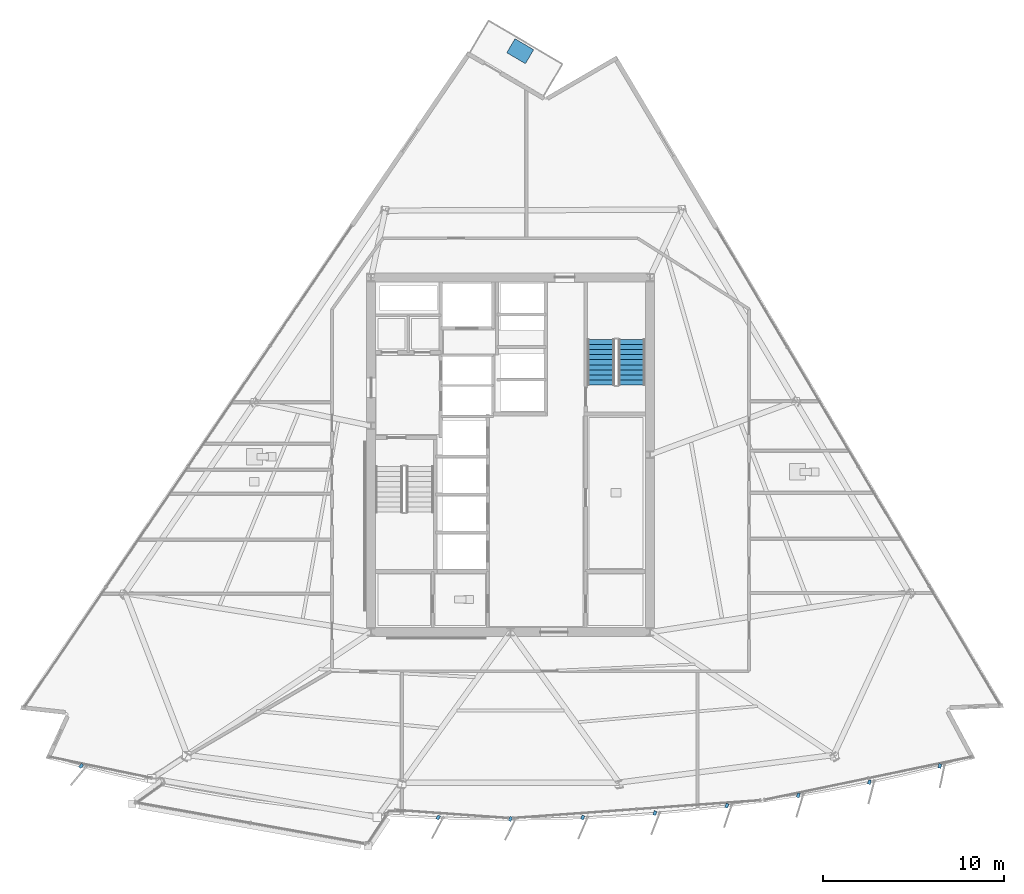
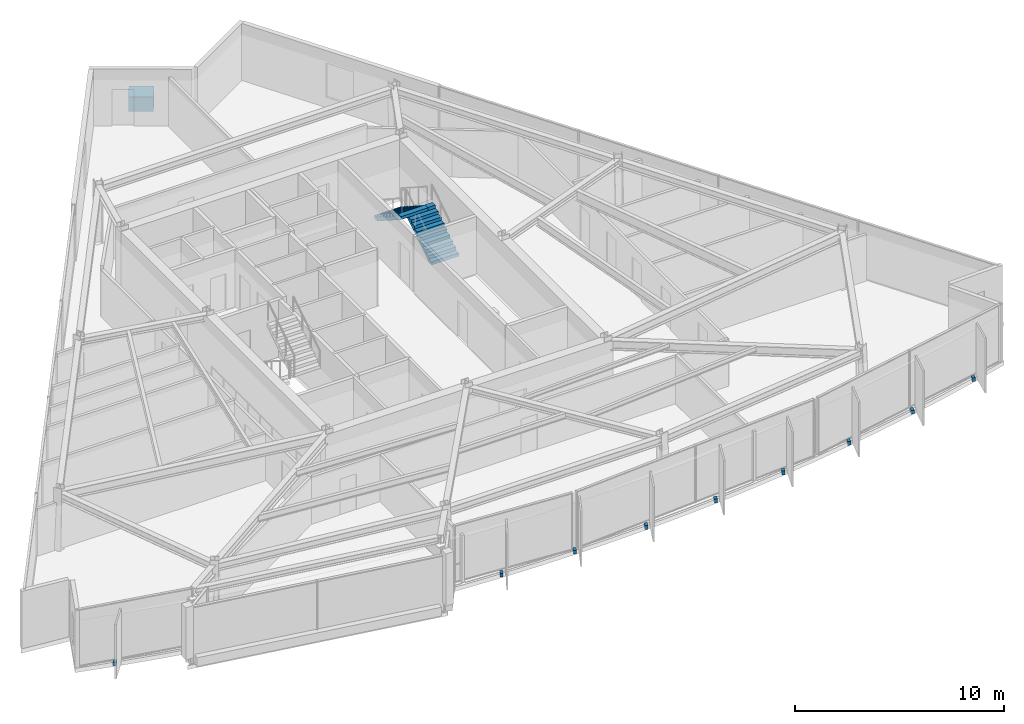
# One storey, part 11 of 16: 10 discrete accessories, 2 stair flights, 1 element without a shape of its own.
"""IFC4 building model written with IfcOpenShell, lengths in metres."""

from ifc_helpers import new_model, si_unit, direction, frame, origin, origin_2d, place, context, subcontext, project, spatial, polyline, rectangle, outline, extrude, material, type_object, element, aggregate, save


model = new_model("IFC4")

# Units and contexts
model_context = context("Model", 3, precision=1e-05, world=origin(), true_north=direction((0.0, 1.0)))
body_context = subcontext(model_context, "Body", "Model", "MODEL_VIEW")
ifc_project = project(units=[si_unit("LENGTHUNIT", "METRE"), si_unit("AREAUNIT", "SQUARE_METRE"), si_unit("VOLUMEUNIT", "CUBIC_METRE"), si_unit("PLANEANGLEUNIT", "RADIAN"), si_unit("MASSUNIT", "GRAM", prefix="KILO")], contexts=[model_context])

# Site, building, storey
site_placement = place(None, origin())
site = spatial("IfcSite", under=ifc_project, at=site_placement, CompositionType="ELEMENT")
building_placement = place(site_placement, origin())
building = spatial("IfcBuilding", under=site, at=building_placement, Name="Savorim Split Tower", CompositionType="ELEMENT")
storey_placement = place(building_placement, frame((0.0, 0.0, 149.39990234375)))
storey = spatial("IfcBuildingStorey", under=building, at=storey_placement, Name="L39", CompositionType="ELEMENT", Elevation=149.39990234375)

# Stair, stair flights
ifc_material_1 = material(Name="Concrete C50/60", Category="concrete")
stair_type = type_object("IfcStairType", Name="STR-DOG-3600", PredefinedType="HALF_TURN_STAIR", material=ifc_material_1)
stair_placement = place(storey_placement, origin())
stair = element("IfcStair", 1, at=stair_placement, inside=storey, type_object=stair_type, Name="L39 Core Protected Exit Stair ST-2", PredefinedType="HALF_TURN_STAIR")
stair_flight_type = type_object("IfcStairFlightType", Name="SFL-DOG-3600", PredefinedType="STRAIGHT", material=ifc_material_1)
stair_flight_1_placement = place(storey_placement, frame((6.699951171875, 4.25, 0.0), z_axis=(0.0, 0.0, 1.0), x_axis=(0.0, 1.0, 0.0)))
stair_flight_1 = element("IfcStairFlight", 2, at=stair_flight_1_placement, type_object=stair_flight_type, Name="ST-2 flight 1", NumberOfRisers=10, NumberOfTreads=9, PredefinedType="STRAIGHT", RiserHeight=0.18, TreadLength=0.28, context=body_context, shape_type="SweptSolid", body=[
    extrude(outline(polyline([(0.0, 0.0), (0.0, 0.179931640625), (0.280029296875, 0.179931640625), (0.280029296875, 0.360107421875), (0.56005859375, 0.360107421875), (0.56005859375, 0.5400390625), (0.840087890625, 0.5400390625), (0.840087890625, 0.719970703125), (1.1201171875, 0.719970703125), (1.1201171875, 0.89990234375), (1.39990234375, 0.89990234375), (1.39990234375, 1.080078125), (1.679931640625, 1.080078125), (1.679931640625, 1.260009765625), (1.9599609375, 1.260009765625), (1.9599609375, 1.43994140625), (2.239990234375, 1.43994140625), (2.239990234375, 1.6201171875), (2.52001953125, 1.6201171875), (2.52001953125, 1.800048828125), (2.52001953125, 1.44189453125), (0.277099609375, 0.0), (0.0, 0.0)])), frame((0.0, 0.75, 0.0), z_axis=(0.0, -1.0, 0.0), x_axis=(1.0, 0.0, 0.0)), (0.0, 0.0, 1.0), 1.5),
])
stair_flight_2_placement = place(storey_placement, frame((5.0, 6.77001953125, 1.800048828125), z_axis=(0.0, 0.0, 1.0), x_axis=(0.0, -1.0, 0.0)))
stair_flight_2 = element("IfcStairFlight", 3, at=stair_flight_2_placement, type_object=stair_flight_type, Name="ST-2 flight 2", NumberOfRisers=10, NumberOfTreads=9, PredefinedType="STRAIGHT", RiserHeight=0.18, TreadLength=0.28, context=body_context, shape_type="SweptSolid", body=[
    extrude(outline(polyline([(0.0, 0.0), (0.0, 0.179931640625), (0.280029296875, 0.179931640625), (0.280029296875, 0.360107421875), (0.56005859375, 0.360107421875), (0.56005859375, 0.5400390625), (0.840087890625, 0.5400390625), (0.840087890625, 0.719970703125), (1.1201171875, 0.719970703125), (1.1201171875, 0.89990234375), (1.39990234375, 0.89990234375), (1.39990234375, 1.080078125), (1.679931640625, 1.080078125), (1.679931640625, 1.260009765625), (1.9599609375, 1.260009765625), (1.9599609375, 1.43994140625), (2.239990234375, 1.43994140625), (2.239990234375, 1.6201171875), (2.52001953125, 1.6201171875), (2.52001953125, 1.800048828125), (2.52001953125, 1.44189453125), (0.277099609375, 0.0), (0.0, 0.0)])), frame((0.0, 0.75, 0.0), z_axis=(0.0, -1.0, 0.0), x_axis=(1.0, 0.0, 0.0)), (0.0, 0.0, 1.0), 1.5),
])
aggregate(stair, [stair_flight_1, stair_flight_2])

# Discrete accessories
ifc_material_2 = material(Name="Steel S355", Category="steel")
discrete_accessory_type_1 = type_object("IfcDiscreteAccessoryType", Name="ACC-BRK-FIN", PredefinedType="BRACKET", material=ifc_material_2)
for number, where, z_axis, x_axis, name in (
    (4, (-23.720703125, -16.79443359375, -0.18994140625), (0.0, 0.0, 1.0), (-0.643719022682, -0.765261928909, 0.0), "L39 Fin Slab-Edge Cleat Bracket 01"),
    (5, (-3.992431640625, -19.639892578125, -0.18994140625), (0.0, 0.0, 1.0), (-0.474778051978, -0.880105562623, 0.0), "L39 Fin Slab-Edge Cleat Bracket 06"),
    (6, (0.0, -19.7216796875, -0.18994140625), (0.0, 0.0, 1.0), (-0.438371146789, -0.898794046299, 0.0), "L39 Fin Slab-Edge Cleat Bracket 07"),
    (7, (3.992431640625, -19.639892578125, -0.18994140625), (0.0, 0.0, 1.0), (-0.401230091723, -0.915977299662, 0.0), "L39 Fin Slab-Edge Cleat Bracket 08"),
    (8, (7.97802734375, -19.39501953125, -0.18994140625), (0.0, 0.0, 1.0), (-0.363415461732, -0.931627179817, 0.0), "L39 Fin Slab-Edge Cleat Bracket 09"),
    (9, (11.950439453125, -18.987060546875, -0.18994140625), (0.0, 0.0, 1.0), (-0.324993810493, -0.945716143005, 0.0), "L39 Fin Slab-Edge Cleat Bracket 10"),
    (10, (15.902587890625, -18.4169921875, -0.18994140625), (0.0, 0.0, 1.0), (-0.286026212504, -0.958221793616, 0.0), "L39 Fin Slab-Edge Cleat Bracket 11"),
    (11, (19.828369140625, -17.685791015625, -0.18994140625), (0.0, 0.0, 1.0), (-0.246581250663, -0.969122121727, 0.0), "L39 Fin Slab-Edge Cleat Bracket 12"),
    (12, (23.720703125, -16.79443359375, -0.18994140625), (0.0, 0.0, 1.0), (-0.206721626106, -0.978399800337, 0.0), "L39 Fin Slab-Edge Cleat Bracket 13"),
):
    element("IfcDiscreteAccessory", number, at=place(storey_placement, frame(where, z_axis=z_axis, x_axis=x_axis)), inside=storey, type_object=discrete_accessory_type_1, Name=name, PredefinedType="BRACKET", context=body_context, shape_type="SweptSolid", body=[
        extrude(rectangle(XDim=0.239990234375, YDim=0.159912109375, at=origin_2d()), origin(), (0.0, 0.0, 1.0), 0.219970703125),
    ])
ifc_material_3 = material(Name="Architectural Precast Planter Concrete C40/50", Category="concrete")
discrete_accessory_type_2 = type_object("IfcDiscreteAccessoryType", Name="ACC-PLN-TREE", PredefinedType="USERDEFINED", material=ifc_material_3)
discrete_accessory_placement = place(storey_placement, frame((0.53759765625, 22.694091796875, 0.0), z_axis=(0.0, 0.0, 1.0), x_axis=(-0.862127461925, 0.506691463709, 0.0)))
element("IfcDiscreteAccessory", 13, at=discrete_accessory_placement, inside=storey, type_object=discrete_accessory_type_2, Name="L39 Balcony Precast Tree Planter N", ObjectType="PLANTER", PredefinedType="USERDEFINED", context=body_context, shape_type="SweptSolid", body=[
    extrude(rectangle(XDim=1.199951171875, YDim=0.89990234375, at=origin_2d()), origin(), (0.0, 0.0, 1.0), 0.85009765625),
])

save(model, "model.ifc")
